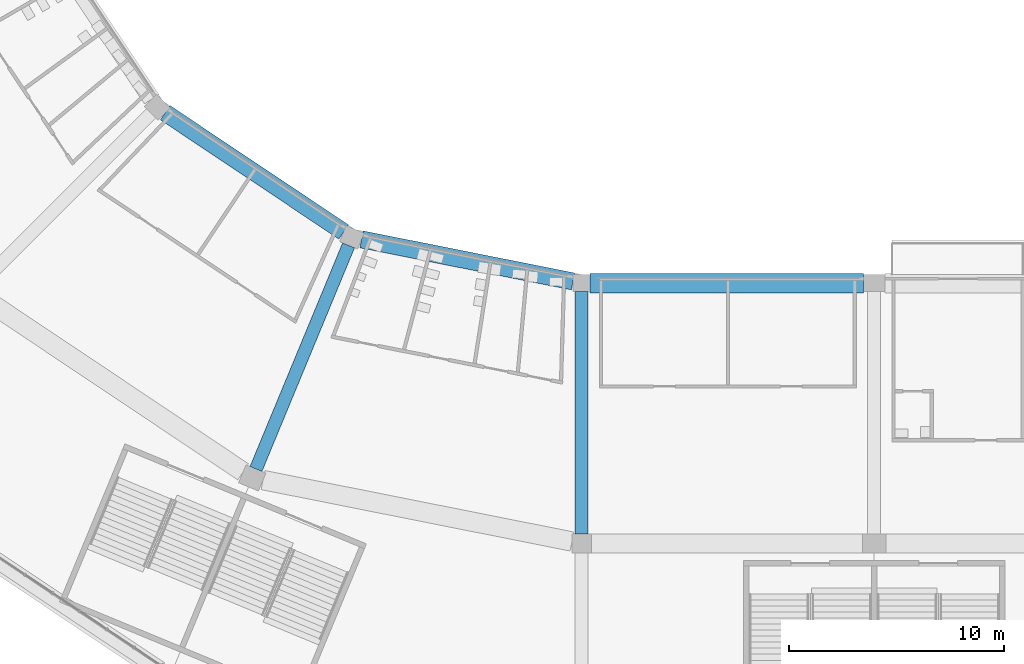
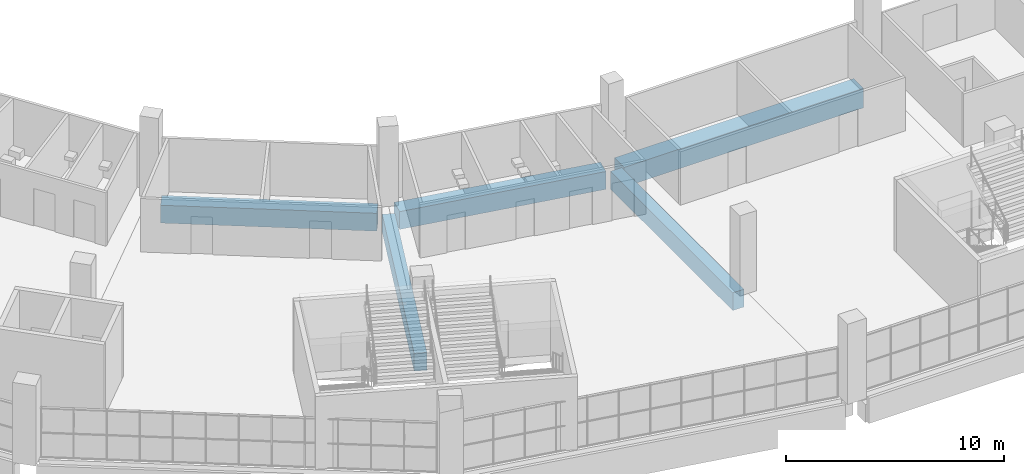
# One storey, part 7 of 199: 5 beams.
"""IFC4 building model written with IfcOpenShell, lengths in metres."""

from ifc_helpers import new_model, si_unit, direction, frame, origin, origin_2d, place, context, subcontext, project, spatial, rectangle, extrude, material, material_profile, profile_set, type_object, element, save


model = new_model("IFC4")

# Units and contexts
model_context = context("Model", 3, precision=1e-05, world=origin(), true_north=direction((0.0, 1.0)))
body_context = subcontext(model_context, "Body", "Model", "MODEL_VIEW")
ifc_project = project(units=[si_unit("LENGTHUNIT", "METRE"), si_unit("AREAUNIT", "SQUARE_METRE"), si_unit("VOLUMEUNIT", "CUBIC_METRE"), si_unit("PLANEANGLEUNIT", "RADIAN"), si_unit("MASSUNIT", "GRAM", prefix="KILO")], contexts=[model_context])

# Site, building, storey
site_placement = place(None, origin())
site = spatial("IfcSite", under=ifc_project, at=site_placement, CompositionType="ELEMENT")
building_placement = place(site_placement, origin())
building = spatial("IfcBuilding", under=site, at=building_placement, Name="Ogive Plaza Stadium", CompositionType="ELEMENT")
storey_placement = place(building_placement, frame((0.0, 0.0, 9.0)))
storey = spatial("IfcBuildingStorey", under=building, at=storey_placement, Name="L02", CompositionType="ELEMENT", Elevation=9.0)

# Beams
ifc_material_1 = material(Name="Concrete C40/50", Category="concrete")
ifc_material_profile_1 = material_profile(ifc_material_1, rectangle(XDim=0.60009765625, YDim=1.0, at=origin_2d()), Name="RC 600x1000")
ifc_profile_set_1 = profile_set([ifc_material_profile_1], Name="Concrete C40/50")
beam_type_1 = type_object("IfcBeamType", Name="RC radial beam 600x1000", PredefinedType="BEAM", material=ifc_profile_set_1)
beam_1_placement = place(storey_placement, frame((-34.0, -80.800048828125, -0.909912109375), z_axis=(0.0, -1.0, 0.0), x_axis=(1.0, 0.0, 0.0)))
element("IfcBeam", 1, at=beam_1_placement, inside=storey, type_object=beam_type_1, Name="Radial beam L02 R17 F3F4", PredefinedType="BEAM", context=body_context, shape_type="SweptSolid", body=[
    extrude(rectangle(XDim=0.60009765625, YDim=1.0, at=origin_2d()), origin(), (0.0, 0.0, 1.0), 11.25),
])
beam_2_placement = place(storey_placement, frame((-44.829833984375, -78.645751953125, -0.909912109375), z_axis=(-0.382677616283, -0.92388194159, 0.0), x_axis=(0.92388194159, -0.382677616283, 0.0)))
element("IfcBeam", 2, at=beam_2_placement, inside=storey, type_object=beam_type_1, Name="Radial beam L02 R18 F3F4", PredefinedType="BEAM", context=body_context, shape_type="SweptSolid", body=[
    extrude(rectangle(XDim=0.60009765625, YDim=1.0, at=origin_2d()), origin(), (0.0, 0.0, 1.0), 11.250244140625),
])
ifc_material_2 = material(Name="Concrete C40/50", Category="concrete")
ifc_material_profile_2 = material_profile(ifc_material_2, rectangle(XDim=0.800048828125, YDim=1.0, at=origin_2d()), Name="RC 800x1000")
ifc_profile_set_2 = profile_set([ifc_material_profile_2], Name="Concrete C40/50")
beam_type_2 = type_object("IfcBeamType", Name="RC ring beam 800x1000", PredefinedType="BEAM", material=ifc_profile_set_2)
beam_3_placement = place(storey_placement, frame((-34.39990234375, -80.320556640625, -0.909912109375), z_axis=(-0.980782584064, 0.195103876937, 0.0), x_axis=(-0.195103876937, -0.980782584064, 0.0)))
element("IfcBeam", 3, at=beam_3_placement, inside=storey, type_object=beam_type_2, Name="Ring beam F3 L02 B17", PredefinedType="BEAM", context=body_context, shape_type="SweptSolid", body=[
    extrude(rectangle(XDim=0.800048828125, YDim=1.0, at=origin_2d()), origin(), (0.0, 0.0, 1.0), 10.01953125),
])
beam_4_placement = place(storey_placement, frame((-45.058349609375, -78.021240234375, -0.909912109375), z_axis=(-0.831469573595, 0.555570290949, 0.0), x_axis=(-0.555570290949, -0.831469573595, 0.0)))
element("IfcBeam", 4, at=beam_4_placement, inside=storey, type_object=beam_type_2, Name="Ring beam F3 L02 B18", PredefinedType="BEAM", context=body_context, shape_type="SweptSolid", body=[
    extrude(rectangle(XDim=0.800048828125, YDim=1.0, at=origin_2d()), origin(), (0.0, 0.0, 1.0), 9.96826171875),
])
ifc_material_3 = material(Name="Concrete C40/50", Category="concrete")
ifc_material_profile_3 = material_profile(ifc_material_3, rectangle(XDim=0.89990234375, YDim=1.10009765625, at=origin_2d()), Name="RC 900x1100")
ifc_profile_set_3 = profile_set([ifc_material_profile_3], Name="Concrete C40/50")
beam_type_3 = type_object("IfcBeamType", Name="RC ring beam 900x1100", PredefinedType="BEAM", material=ifc_profile_set_3)
beam_5_placement = place(storey_placement, frame((-20.89990234375, -80.39990234375, -0.9599609375), z_axis=(-1.0, 0.0, 0.0), x_axis=(0.0, -1.0, 0.0)))
element("IfcBeam", 5, at=beam_5_placement, inside=storey, type_object=beam_type_3, Name="Ring beam F3 L02 B16", PredefinedType="BEAM", context=body_context, shape_type="SweptSolid", body=[
    extrude(rectangle(XDim=0.89990234375, YDim=1.10009765625, at=origin_2d()), origin(), (0.0, 0.0, 1.0), 12.7001953125),
])

save(model, "model.ifc")
